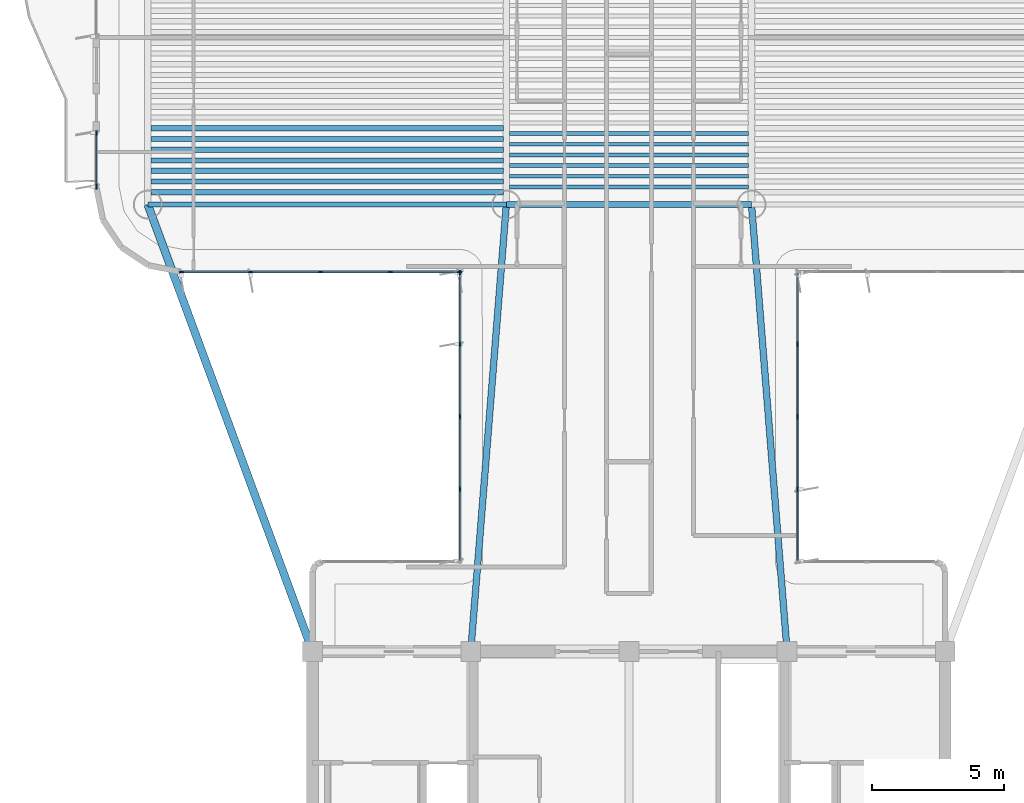
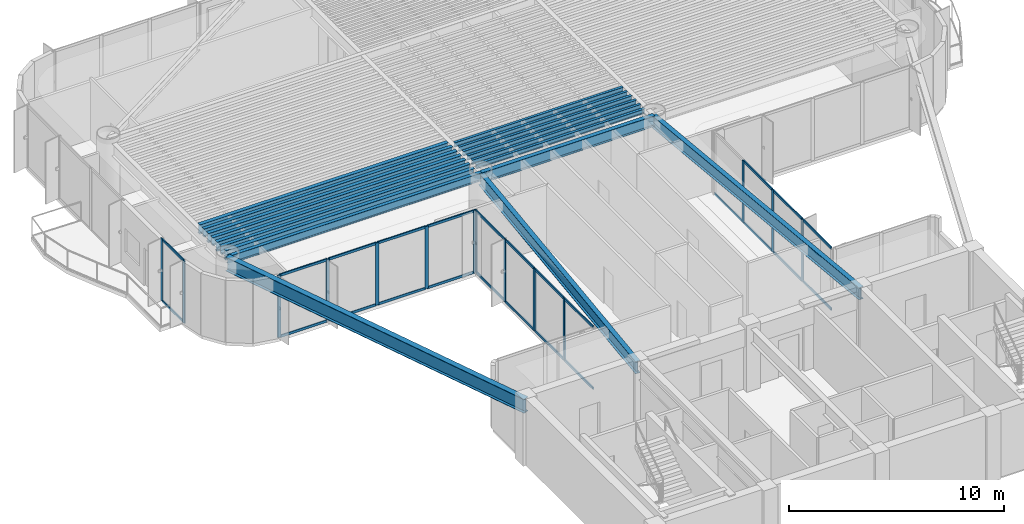
# One storey, part 3 of 15: 39 members, 18 beams, 4 elements without a shape of their own.
"""IFC4 building model written with IfcOpenShell, lengths in metres."""

from ifc_helpers import new_model, si_unit, direction, frame, origin, origin_2d, place, context, subcontext, project, spatial, rectangle, i_section, extrude, source, transform, mapped, material, layer, layer_set, material_profile, profile_set, type_object, element, aggregate, save


model = new_model("IFC4")

# Units and contexts
model_context = context("Model", 3, precision=1e-05, world=origin(), true_north=direction((0.0, 1.0)))
body_context = subcontext(model_context, "Body", "Model", "MODEL_VIEW")
ifc_project = project(units=[si_unit("LENGTHUNIT", "METRE"), si_unit("AREAUNIT", "SQUARE_METRE"), si_unit("VOLUMEUNIT", "CUBIC_METRE"), si_unit("PLANEANGLEUNIT", "RADIAN"), si_unit("MASSUNIT", "GRAM", prefix="KILO")], contexts=[model_context])

# Site, building, storey
site_placement = place(None, origin())
site = spatial("IfcSite", under=ifc_project, at=site_placement, CompositionType="ELEMENT")
building_placement = place(site_placement, origin())
building = spatial("IfcBuilding", under=site, at=building_placement, Name="Brelvock Crest Care Tower", CompositionType="ELEMENT")
storey_placement = place(building_placement, frame((0.0, 0.0, 160.199951171875)))
storey = spatial("IfcBuildingStorey", under=building, at=storey_placement, Name="L40", CompositionType="ELEMENT", Elevation=160.199951171875)

# Beams
ifc_material_1 = material(Name="Steel Grade 350", Category="steel")
ifc_material_profile_1 = material_profile(ifc_material_1, i_section(OverallWidth=0.22900390625, OverallDepth=0.612060546875, WebThickness=0.011962890625, FlangeThickness=0.01953125, FilletRadius=0.013916015625, at=origin_2d()), Name="610UB125")
ifc_profile_set_1 = profile_set([ifc_material_profile_1], Name="Steel Grade 350")
beam_type_1 = type_object("IfcBeamType", Name="BM-G1", PredefinedType="BEAM", material=ifc_profile_set_1)
shared_shape_1 = source(origin(), body_context, "Body", "SweptSolid", [
    extrude(i_section(OverallWidth=0.22900390625, OverallDepth=0.612060546875, WebThickness=0.011962890625, FlangeThickness=0.01953125, FilletRadius=0.013916015625, at=origin_2d()), origin(), (0.0, 0.0, 1.0), 9.2998046875),
])
beam_1_placement = place(storey_placement, frame((31.35009765625, 34.949951171875, 3.22412109375), z_axis=(1.0, 0.0, 0.0), x_axis=(0.0, 1.0, 0.0)))
element("IfcBeam", 1, at=beam_1_placement, inside=storey, type_object=beam_type_1, Name="BM-TWR-L40-05", PredefinedType="BEAM", context=body_context, shape_type="MappedRepresentation", body=[
    mapped(shared_shape_1, transform((0.0, 0.0, 0.0), x_axis=(1.0, 0.0, 0.0), y_axis=(0.0, 1.0, 0.0), z_axis=(0.0, 0.0, 1.0), scale=1.0)),
])
ifc_material_profile_2 = material_profile(ifc_material_1, i_section(OverallWidth=0.14599609375, OverallDepth=0.256103515625, WebThickness=0.00634765625, FlangeThickness=0.010986328125, FilletRadius=0.0087890625, at=origin_2d()), Name="250UB37.3")
ifc_profile_set_2 = profile_set([ifc_material_profile_2], Name="Steel Grade 350")
beam_type_2 = type_object("IfcBeamType", Name="BM-J3", PredefinedType="JOIST", material=ifc_profile_set_2)
shared_shape_2 = source(origin(), body_context, "Body", "SweptSolid", [
    extrude(i_section(OverallWidth=0.14599609375, OverallDepth=0.256103515625, WebThickness=0.00634765625, FlangeThickness=0.010986328125, FilletRadius=0.0087890625, at=origin_2d()), origin(), (0.0, 0.0, 1.0), 9.06982421875),
])
for number, where, z_axis, x_axis, name in (
    (2, (31.465087890625, 35.618896484375, 3.402099609375), (1.0, 0.0, 0.0), (0.0, 1.0, 0.0), "BM-JH-L40-1"),
    (3, (31.465087890625, 36.02392578125, 3.402099609375), (1.0, 0.0, 0.0), (0.0, 1.0, 0.0), "BM-JH-L40-2"),
    (4, (31.465087890625, 36.42919921875, 3.402099609375), (1.0, 0.0, 0.0), (0.0, 1.0, 0.0), "BM-JH-L40-3"),
    (5, (31.465087890625, 36.834228515625, 3.402099609375), (1.0, 0.0, 0.0), (0.0, 1.0, 0.0), "BM-JH-L40-4"),
    (6, (31.465087890625, 37.239501953125, 3.402099609375), (1.0, 0.0, 0.0), (0.0, 1.0, 0.0), "BM-JH-L40-5"),
    (7, (31.465087890625, 37.64453125, 3.402099609375), (1.0, 0.0, 0.0), (0.0, 1.0, 0.0), "BM-JH-L40-6"),
):
    element("IfcBeam", number, at=place(storey_placement, frame(where, z_axis=z_axis, x_axis=x_axis)), inside=storey, type_object=beam_type_2, Name=name, PredefinedType="JOIST", context=body_context, shape_type="MappedRepresentation", body=[
        mapped(shared_shape_2, transform((0.0, 0.0, 0.0), x_axis=(1.0, 0.0, 0.0), y_axis=(0.0, 1.0, 0.0), z_axis=(0.0, 0.0, 1.0), scale=1.0)),
    ])
ifc_material_profile_3 = material_profile(ifc_material_1, i_section(OverallWidth=0.208984375, OverallDepth=0.532958984375, WebThickness=0.01025390625, FlangeThickness=0.015625, FilletRadius=0.013916015625, at=origin_2d()), Name="530UB92.4")
ifc_profile_set_3 = profile_set([ifc_material_profile_3], Name="Steel Grade 350")
beam_type_3 = type_object("IfcBeamType", Name="BM-G2", PredefinedType="BEAM", material=ifc_profile_set_3)
shared_shape_3 = source(origin(), body_context, "Body", "SweptSolid", [
    extrude(i_section(OverallWidth=0.208984375, OverallDepth=0.532958984375, WebThickness=0.01025390625, FlangeThickness=0.015625, FilletRadius=0.013916015625, at=origin_2d()), origin(), (0.0, 0.0, 1.0), 13.3701171875),
])
for number, where, z_axis, x_axis, name in (
    (8, (17.864990234375, 35.416259765625, 3.263427734375), (1.0, 0.0, 0.0), (0.0, 1.0, 0.0), "BM-JW-L40-1"),
    (9, (17.864990234375, 36.2265625, 3.263427734375), (1.0, 0.0, 0.0), (0.0, 1.0, 0.0), "BM-JW-L40-3"),
    (10, (17.864990234375, 37.036865234375, 3.263427734375), (1.0, 0.0, 0.0), (0.0, 1.0, 0.0), "BM-JW-L40-5"),
    (11, (17.864990234375, 37.84716796875, 3.263427734375), (1.0, 0.0, 0.0), (0.0, 1.0, 0.0), "BM-JW-L40-7"),
):
    element("IfcBeam", number, at=place(storey_placement, frame(where, z_axis=z_axis, x_axis=x_axis)), inside=storey, type_object=beam_type_3, Name=name, PredefinedType="BEAM", context=body_context, shape_type="MappedRepresentation", body=[
        mapped(shared_shape_3, transform((0.0, 0.0, 0.0), x_axis=(1.0, 0.0, 0.0), y_axis=(0.0, 1.0, 0.0), z_axis=(0.0, 0.0, 1.0), scale=1.0)),
    ])
ifc_material_profile_4 = material_profile(ifc_material_1, i_section(OverallWidth=0.19091796875, OverallDepth=0.4599609375, WebThickness=0.010009765625, FlangeThickness=0.01611328125, FilletRadius=0.011474609375, at=origin_2d()), Name="460UB82.1")
ifc_profile_set_4 = profile_set([ifc_material_profile_4], Name="Steel Grade 350")
beam_type_4 = type_object("IfcBeamType", Name="BM-G3", PredefinedType="BEAM", material=ifc_profile_set_4)
shared_shape_4 = source(origin(), body_context, "Body", "SweptSolid", [
    extrude(i_section(OverallWidth=0.19091796875, OverallDepth=0.4599609375, WebThickness=0.010009765625, FlangeThickness=0.01611328125, FilletRadius=0.011474609375, at=origin_2d()), origin(), (0.0, 0.0, 1.0), 13.3701171875),
])
for number, where, z_axis, x_axis, name in (
    (12, (17.864990234375, 35.8212890625, 3.300048828125), (1.0, 0.0, 0.0), (0.0, 1.0, 0.0), "BM-JW-L40-2"),
    (13, (17.864990234375, 36.631591796875, 3.300048828125), (1.0, 0.0, 0.0), (0.0, 1.0, 0.0), "BM-JW-L40-4"),
    (14, (17.864990234375, 37.44189453125, 3.300048828125), (1.0, 0.0, 0.0), (0.0, 1.0, 0.0), "BM-JW-L40-6"),
):
    element("IfcBeam", number, at=place(storey_placement, frame(where, z_axis=z_axis, x_axis=x_axis)), inside=storey, type_object=beam_type_4, Name=name, PredefinedType="BEAM", context=body_context, shape_type="MappedRepresentation", body=[
        mapped(shared_shape_4, transform((0.0, 0.0, 0.0), x_axis=(1.0, 0.0, 0.0), y_axis=(0.0, 1.0, 0.0), z_axis=(0.0, 0.0, 1.0), scale=1.0)),
    ])
ifc_material_profile_5 = material_profile(ifc_material_1, i_section(OverallWidth=0.19091796875, OverallDepth=0.4599609375, WebThickness=0.010009765625, FlangeThickness=0.01611328125, FilletRadius=0.011474609375, at=origin_2d()), Name="460UB82.1")
ifc_profile_set_5 = profile_set([ifc_material_profile_5], Name="Steel Grade 350")
beam_type_5 = type_object("IfcBeamType", Name="BM-SP2", PredefinedType="SPANDREL", material=ifc_profile_set_5)
shared_shape_5 = source(origin(), body_context, "Body", "SweptSolid", [
    extrude(i_section(OverallWidth=0.19091796875, OverallDepth=0.4599609375, WebThickness=0.010009765625, FlangeThickness=0.01611328125, FilletRadius=0.011474609375, at=origin_2d()), origin(), (0.0, 0.0, 1.0), 13.60009765625),
])
beam_2_placement = place(storey_placement, frame((17.75, 34.949951171875, 3.300048828125), z_axis=(1.0, 0.0, 0.0), x_axis=(0.0, 1.0, 0.0)))
element("IfcBeam", 15, at=beam_2_placement, inside=storey, type_object=beam_type_5, Name="BM-TWR-L40-03", PredefinedType="SPANDREL", context=body_context, shape_type="MappedRepresentation", body=[
    mapped(shared_shape_5, transform((0.0, 0.0, 0.0), x_axis=(1.0, 0.0, 0.0), y_axis=(0.0, 1.0, 0.0), z_axis=(0.0, 0.0, 1.0), scale=1.0)),
])
ifc_material_profile_6 = material_profile(ifc_material_1, i_section(OverallWidth=0.25, OverallDepth=0.699951171875, WebThickness=0.011962890625, FlangeThickness=0.02001953125, at=origin_2d()), Name="700WB150")
ifc_profile_set_6 = profile_set([ifc_material_profile_6], Name="Steel Grade 350")
beam_type_6 = type_object("IfcBeamType", Name="BM-G4", PredefinedType="BEAM", material=ifc_profile_set_6)
shared_shape_6 = source(origin(), body_context, "Body", "SweptSolid", [
    extrude(i_section(OverallWidth=0.25, OverallDepth=0.699951171875, WebThickness=0.011962890625, FlangeThickness=0.02001953125, at=origin_2d()), origin(), (0.0, 0.0, 1.0), 17.003662109375),
])
for number, where, z_axis, x_axis, name in (
    (16, (30.0, 18.0, 3.179931640625), (0.079400530776, 0.996842793881, 0.0), (-0.996842793881, 0.079400530776, 0.0), "BM-THRW-L40"),
    (17, (42.0, 18.0, 3.179931640625), (-0.079400530776, 0.996842793881, 0.0), (-0.996842793881, -0.079400530776, 0.0), "BM-THRE-L40"),
):
    element("IfcBeam", number, at=place(storey_placement, frame(where, z_axis=z_axis, x_axis=x_axis)), inside=storey, type_object=beam_type_6, Name=name, PredefinedType="BEAM", context=body_context, shape_type="MappedRepresentation", body=[
        mapped(shared_shape_6, transform((0.0, 0.0, 0.0), x_axis=(1.0, 0.0, 0.0), y_axis=(0.0, 1.0, 0.0), z_axis=(0.0, 0.0, 1.0), scale=1.0)),
    ])
ifc_material_profile_7 = material_profile(ifc_material_1, i_section(OverallWidth=0.300048828125, OverallDepth=0.800048828125, WebThickness=0.013916015625, FlangeThickness=0.02197265625, at=origin_2d()), Name="800WB192")
ifc_profile_set_7 = profile_set([ifc_material_profile_7], Name="Steel Grade 350")
beam_type_7 = type_object("IfcBeamType", Name="BM-G5", PredefinedType="BEAM", material=ifc_profile_set_7)
shared_shape_7 = source(origin(), body_context, "Body", "SweptSolid", [
    extrude(i_section(OverallWidth=0.300048828125, OverallDepth=0.800048828125, WebThickness=0.013916015625, FlangeThickness=0.02197265625, at=origin_2d()), origin(), (0.0, 0.0, 1.0), 18.0654296875),
])
beam_3_placement = place(storey_placement, frame((24.0, 18.0, 3.130126953125), z_axis=(-0.345962741309, 0.938248251597, 0.0), x_axis=(-0.938248251597, -0.345962741309, 0.0)))
element("IfcBeam", 18, at=beam_3_placement, inside=storey, type_object=beam_type_7, Name="BM-THRO-W-L40", PredefinedType="BEAM", context=body_context, shape_type="MappedRepresentation", body=[
    mapped(shared_shape_7, transform((0.0, 0.0, 0.0), x_axis=(1.0, 0.0, 0.0), y_axis=(0.0, 1.0, 0.0), z_axis=(0.0, 0.0, 1.0), scale=1.0)),
])

# Curtain wall, members
ifc_material_2 = material(Name="Dark Glass Double Glazed Low-E", Category="glass")
ifc_layer = layer(ifc_material_2, 0.22509765625, Name="CWS-4")
ifc_layer_set = layer_set([ifc_layer], Name="Dark Glass Double Glazed Low-E")
curtain_wall_type = type_object("IfcCurtainWallType", Name="CWS-4", PredefinedType="NOTDEFINED", material=ifc_layer_set)
curtain_wall_1_placement = place(storey_placement, origin())
curtain_wall_1 = element("IfcCurtainWall", 19, at=curtain_wall_1_placement, inside=storey, type_object=curtain_wall_type, Name="L40 Curtain Wall E11", PredefinedType="NOTDEFINED")
ifc_material_3 = material(Name="Aluminium 6063-T6", Category="aluminium")
ifc_material_profile_8 = material_profile(ifc_material_3, rectangle(XDim=0.06005859375, YDim=0.179931640625, at=origin_2d()), Name="ALU60x180")
ifc_profile_set_8 = profile_set([ifc_material_profile_8], Name="Aluminium 6063-T6")
member_type_1 = type_object("IfcMemberType", Name="CWM-2", PredefinedType="MULLION", material=ifc_profile_set_8)
shared_shape_8 = source(origin(), body_context, "Body", "SweptSolid", [
    extrude(rectangle(XDim=0.06005859375, YDim=0.179931640625, at=origin_2d()), origin(), (0.0, 0.0, 1.0), 3.530029296875),
])
member_1_placement = place(storey_placement, frame((29.60009765625, 24.14990234375, 0.0), z_axis=(0.0, 0.0, 1.0), x_axis=(-1.0, 0.0, 0.0)))
member_1 = element("IfcMember", 20, at=member_1_placement, type_object=member_type_1, Name="CW-4 mullion 2", PredefinedType="MULLION", context=body_context, shape_type="MappedRepresentation", body=[
    mapped(shared_shape_8, transform((0.0, 0.0, 0.0), x_axis=(1.0, 0.0, 0.0), y_axis=(0.0, 1.0, 0.0), z_axis=(0.0, 0.0, 1.0), scale=1.0)),
])
member_2_placement = place(storey_placement, frame((29.60009765625, 26.89990234375, 0.0), z_axis=(0.0, 0.0, 1.0), x_axis=(-1.0, 0.0, 0.0)))
member_2 = element("IfcMember", 21, at=member_2_placement, type_object=member_type_1, Name="CW-4 mullion 3", PredefinedType="MULLION", context=body_context, shape_type="MappedRepresentation", body=[
    mapped(shared_shape_8, transform((0.0, 0.0, 0.0), x_axis=(1.0, 0.0, 0.0), y_axis=(0.0, 1.0, 0.0), z_axis=(0.0, 0.0, 1.0), scale=1.0)),
])
member_3_placement = place(storey_placement, frame((29.60009765625, 29.64990234375, 0.0), z_axis=(0.0, 0.0, 1.0), x_axis=(-1.0, 0.0, 0.0)))
member_3 = element("IfcMember", 22, at=member_3_placement, type_object=member_type_1, Name="CW-4 mullion 4", PredefinedType="MULLION", context=body_context, shape_type="MappedRepresentation", body=[
    mapped(shared_shape_8, transform((0.0, 0.0, 0.0), x_axis=(1.0, 0.0, 0.0), y_axis=(0.0, 1.0, 0.0), z_axis=(0.0, 0.0, 1.0), scale=1.0)),
])
member_4_placement = place(storey_placement, frame((29.60009765625, 32.3701171875, 0.0), z_axis=(0.0, 0.0, 1.0), x_axis=(-1.0, 0.0, 0.0)))
member_4 = element("IfcMember", 23, at=member_4_placement, type_object=member_type_1, Name="CW-4 mullion 5", PredefinedType="MULLION", context=body_context, shape_type="MappedRepresentation", body=[
    mapped(shared_shape_8, transform((0.0, 0.0, 0.0), x_axis=(1.0, 0.0, 0.0), y_axis=(0.0, 1.0, 0.0), z_axis=(0.0, 0.0, 1.0), scale=1.0)),
])

curtain_wall_2_placement = place(storey_placement, origin())
curtain_wall_2 = element("IfcCurtainWall", 24, at=curtain_wall_2_placement, inside=storey, type_object=curtain_wall_type, Name="L40 Curtain Wall E12", PredefinedType="NOTDEFINED")
member_5_placement = place(storey_placement, frame((29.570068359375, 32.39990234375, 0.0), z_axis=(0.0, 0.0, 1.0), x_axis=(0.0, -1.0, 0.0)))
member_5 = element("IfcMember", 25, at=member_5_placement, type_object=member_type_1, Name="CW-4 mullion 1", PredefinedType="MULLION", context=body_context, shape_type="MappedRepresentation", body=[
    mapped(shared_shape_8, transform((0.0, 0.0, 0.0), x_axis=(1.0, 0.0, 0.0), y_axis=(0.0, 1.0, 0.0), z_axis=(0.0, 0.0, 1.0), scale=1.0)),
])
member_6_placement = place(storey_placement, frame((26.949951171875, 32.39990234375, 0.0), z_axis=(0.0, 0.0, 1.0), x_axis=(0.0, -1.0, 0.0)))
member_6 = element("IfcMember", 26, at=member_6_placement, type_object=member_type_1, Name="CW-4 mullion 2", PredefinedType="MULLION", context=body_context, shape_type="MappedRepresentation", body=[
    mapped(shared_shape_8, transform((0.0, 0.0, 0.0), x_axis=(1.0, 0.0, 0.0), y_axis=(0.0, 1.0, 0.0), z_axis=(0.0, 0.0, 1.0), scale=1.0)),
])
member_7_placement = place(storey_placement, frame((24.300048828125, 32.39990234375, 0.0), z_axis=(0.0, 0.0, 1.0), x_axis=(0.0, -1.0, 0.0)))
member_7 = element("IfcMember", 27, at=member_7_placement, type_object=member_type_1, Name="CW-4 mullion 3", PredefinedType="MULLION", context=body_context, shape_type="MappedRepresentation", body=[
    mapped(shared_shape_8, transform((0.0, 0.0, 0.0), x_axis=(1.0, 0.0, 0.0), y_axis=(0.0, 1.0, 0.0), z_axis=(0.0, 0.0, 1.0), scale=1.0)),
])
member_8_placement = place(storey_placement, frame((21.64990234375, 32.39990234375, 0.0), z_axis=(0.0, 0.0, 1.0), x_axis=(0.0, -1.0, 0.0)))
member_8 = element("IfcMember", 28, at=member_8_placement, type_object=member_type_1, Name="CW-4 mullion 4", PredefinedType="MULLION", context=body_context, shape_type="MappedRepresentation", body=[
    mapped(shared_shape_8, transform((0.0, 0.0, 0.0), x_axis=(1.0, 0.0, 0.0), y_axis=(0.0, 1.0, 0.0), z_axis=(0.0, 0.0, 1.0), scale=1.0)),
])
member_9_placement = place(storey_placement, frame((19.030029296875, 32.39990234375, 0.0), z_axis=(0.0, 0.0, 1.0), x_axis=(0.0, -1.0, 0.0)))
member_9 = element("IfcMember", 29, at=member_9_placement, type_object=member_type_1, Name="CW-4 mullion 5", PredefinedType="MULLION", context=body_context, shape_type="MappedRepresentation", body=[
    mapped(shared_shape_8, transform((0.0, 0.0, 0.0), x_axis=(1.0, 0.0, 0.0), y_axis=(0.0, 1.0, 0.0), z_axis=(0.0, 0.0, 1.0), scale=1.0)),
])

curtain_wall_3_placement = place(storey_placement, origin())
curtain_wall_3 = element("IfcCurtainWall", 30, at=curtain_wall_3_placement, inside=storey, type_object=curtain_wall_type, Name="L40 Curtain Wall E17A", PredefinedType="NOTDEFINED")
member_10_placement = place(storey_placement, frame((15.800048828125, 35.6298828125, 0.0), z_axis=(0.0, 0.0, 1.0), x_axis=(-1.0, 0.0, 0.0)))
member_10 = element("IfcMember", 31, at=member_10_placement, type_object=member_type_1, Name="CW-4 mullion 1", PredefinedType="MULLION", context=body_context, shape_type="MappedRepresentation", body=[
    mapped(shared_shape_8, transform((0.0, 0.0, 0.0), x_axis=(1.0, 0.0, 0.0), y_axis=(0.0, 1.0, 0.0), z_axis=(0.0, 0.0, 1.0), scale=1.0)),
])
member_11_placement = place(storey_placement, frame((15.800048828125, 37.669921875, 0.0), z_axis=(0.0, 0.0, 1.0), x_axis=(-1.0, 0.0, 0.0)))
member_11 = element("IfcMember", 32, at=member_11_placement, type_object=member_type_1, Name="CW-4 mullion 2", PredefinedType="MULLION", context=body_context, shape_type="MappedRepresentation", body=[
    mapped(shared_shape_8, transform((0.0, 0.0, 0.0), x_axis=(1.0, 0.0, 0.0), y_axis=(0.0, 1.0, 0.0), z_axis=(0.0, 0.0, 1.0), scale=1.0)),
])

curtain_wall_4_placement = place(storey_placement, origin())
curtain_wall_4 = element("IfcCurtainWall", 33, at=curtain_wall_4_placement, inside=storey, type_object=curtain_wall_type, Name="L40 Curtain Wall E45", PredefinedType="NOTDEFINED")
member_12_placement = place(storey_placement, frame((42.39990234375, 29.64990234375, 0.0), z_axis=(0.0, 0.0, 1.0), x_axis=(1.0, 0.0, 0.0)))
member_12 = element("IfcMember", 34, at=member_12_placement, type_object=member_type_1, Name="CW-4 mullion 2", PredefinedType="MULLION", context=body_context, shape_type="MappedRepresentation", body=[
    mapped(shared_shape_8, transform((0.0, 0.0, 0.0), x_axis=(1.0, 0.0, 0.0), y_axis=(0.0, 1.0, 0.0), z_axis=(0.0, 0.0, 1.0), scale=1.0)),
])
member_13_placement = place(storey_placement, frame((42.39990234375, 26.89990234375, 0.0), z_axis=(0.0, 0.0, 1.0), x_axis=(1.0, 0.0, 0.0)))
member_13 = element("IfcMember", 35, at=member_13_placement, type_object=member_type_1, Name="CW-4 mullion 3", PredefinedType="MULLION", context=body_context, shape_type="MappedRepresentation", body=[
    mapped(shared_shape_8, transform((0.0, 0.0, 0.0), x_axis=(1.0, 0.0, 0.0), y_axis=(0.0, 1.0, 0.0), z_axis=(0.0, 0.0, 1.0), scale=1.0)),
])
member_14_placement = place(storey_placement, frame((42.39990234375, 24.14990234375, 0.0), z_axis=(0.0, 0.0, 1.0), x_axis=(1.0, 0.0, 0.0)))
member_14 = element("IfcMember", 36, at=member_14_placement, type_object=member_type_1, Name="CW-4 mullion 4", PredefinedType="MULLION", context=body_context, shape_type="MappedRepresentation", body=[
    mapped(shared_shape_8, transform((0.0, 0.0, 0.0), x_axis=(1.0, 0.0, 0.0), y_axis=(0.0, 1.0, 0.0), z_axis=(0.0, 0.0, 1.0), scale=1.0)),
])

# Member
ifc_material_profile_9 = material_profile(ifc_material_3, rectangle(XDim=0.06005859375, YDim=0.139892578125, at=origin_2d()), Name="ALU60x140")
ifc_profile_set_9 = profile_set([ifc_material_profile_9], Name="Aluminium 6063-T6")
member_type_2 = type_object("IfcMemberType", Name="CWT-2", PredefinedType="USERDEFINED", material=ifc_profile_set_9)
shared_shape_9 = source(origin(), body_context, "Body", "SweptSolid", [
    extrude(rectangle(XDim=0.06005859375, YDim=0.139892578125, at=origin_2d()), origin(), (0.0, 0.0, 1.0), 2.66015625),
])
member_15_placement = place(storey_placement, frame((29.60009765625, 21.4599609375, 0.030029296875), z_axis=(0.0, 1.0, 0.0), x_axis=(-1.0, 0.0, 0.0)))
member_15 = element("IfcMember", 37, at=member_15_placement, type_object=member_type_2, Name="CW-4 transom 1.1", ObjectType="TRANSOM", PredefinedType="USERDEFINED", context=body_context, shape_type="MappedRepresentation", body=[
    mapped(shared_shape_9, transform((0.0, 0.0, 0.0), x_axis=(1.0, 0.0, 0.0), y_axis=(0.0, 1.0, 0.0), z_axis=(0.0, 0.0, 1.0), scale=1.0)),
])

member_16_placement = place(storey_placement, frame((29.60009765625, 21.4599609375, 3.5), z_axis=(0.0, 1.0, 0.0), x_axis=(-1.0, 0.0, 0.0)))
member_16 = element("IfcMember", 38, at=member_16_placement, type_object=member_type_2, Name="CW-4 transom 1.2", ObjectType="TRANSOM", PredefinedType="USERDEFINED", context=body_context, shape_type="MappedRepresentation", body=[
    mapped(shared_shape_9, transform((0.0, 0.0, 0.0), x_axis=(1.0, 0.0, 0.0), y_axis=(0.0, 1.0, 0.0), z_axis=(0.0, 0.0, 1.0), scale=1.0)),
])

member_17_placement = place(storey_placement, frame((29.60009765625, 29.679931640625, 0.030029296875), z_axis=(0.0, 1.0, 0.0), x_axis=(-1.0, 0.0, 0.0)))
member_17 = element("IfcMember", 39, at=member_17_placement, type_object=member_type_2, Name="CW-4 transom 4.1", ObjectType="TRANSOM", PredefinedType="USERDEFINED", context=body_context, shape_type="MappedRepresentation", body=[
    mapped(shared_shape_9, transform((0.0, 0.0, 0.0), x_axis=(1.0, 0.0, 0.0), y_axis=(0.0, 1.0, 0.0), z_axis=(0.0, 0.0, 1.0), scale=1.0)),
])

member_18_placement = place(storey_placement, frame((29.60009765625, 29.679931640625, 3.5), z_axis=(0.0, 1.0, 0.0), x_axis=(-1.0, 0.0, 0.0)))
member_18 = element("IfcMember", 40, at=member_18_placement, type_object=member_type_2, Name="CW-4 transom 4.2", ObjectType="TRANSOM", PredefinedType="USERDEFINED", context=body_context, shape_type="MappedRepresentation", body=[
    mapped(shared_shape_9, transform((0.0, 0.0, 0.0), x_axis=(1.0, 0.0, 0.0), y_axis=(0.0, 1.0, 0.0), z_axis=(0.0, 0.0, 1.0), scale=1.0)),
])

member_19_placement = place(storey_placement, frame((42.39990234375, 32.340087890625, 0.030029296875), z_axis=(0.0, -1.0, 0.0), x_axis=(1.0, 0.0, 0.0)))
member_19 = element("IfcMember", 41, at=member_19_placement, type_object=member_type_2, Name="CW-4 transom 1.1", ObjectType="TRANSOM", PredefinedType="USERDEFINED", context=body_context, shape_type="MappedRepresentation", body=[
    mapped(shared_shape_9, transform((0.0, 0.0, 0.0), x_axis=(1.0, 0.0, 0.0), y_axis=(0.0, 1.0, 0.0), z_axis=(0.0, 0.0, 1.0), scale=1.0)),
])

member_20_placement = place(storey_placement, frame((42.39990234375, 24.1201171875, 0.030029296875), z_axis=(0.0, -1.0, 0.0), x_axis=(1.0, 0.0, 0.0)))
member_20 = element("IfcMember", 42, at=member_20_placement, type_object=member_type_2, Name="CW-4 transom 4.1", ObjectType="TRANSOM", PredefinedType="USERDEFINED", context=body_context, shape_type="MappedRepresentation", body=[
    mapped(shared_shape_9, transform((0.0, 0.0, 0.0), x_axis=(1.0, 0.0, 0.0), y_axis=(0.0, 1.0, 0.0), z_axis=(0.0, 0.0, 1.0), scale=1.0)),
])

member_21_placement = place(storey_placement, frame((42.39990234375, 24.1201171875, 3.5), z_axis=(0.0, -1.0, 0.0), x_axis=(1.0, 0.0, 0.0)))
member_21 = element("IfcMember", 43, at=member_21_placement, type_object=member_type_2, Name="CW-4 transom 4.2", ObjectType="TRANSOM", PredefinedType="USERDEFINED", context=body_context, shape_type="MappedRepresentation", body=[
    mapped(shared_shape_9, transform((0.0, 0.0, 0.0), x_axis=(1.0, 0.0, 0.0), y_axis=(0.0, 1.0, 0.0), z_axis=(0.0, 0.0, 1.0), scale=1.0)),
])

shared_shape_10 = source(origin(), body_context, "Body", "SweptSolid", [
    extrude(rectangle(XDim=0.06005859375, YDim=0.139892578125, at=origin_2d()), origin(), (0.0, 0.0, 1.0), 2.690185546875),
])
member_22_placement = place(storey_placement, frame((29.60009765625, 24.179931640625, 0.030029296875), z_axis=(0.0, 1.0, 0.0), x_axis=(-1.0, 0.0, 0.0)))
member_22 = element("IfcMember", 44, at=member_22_placement, type_object=member_type_2, Name="CW-4 transom 2.1", ObjectType="TRANSOM", PredefinedType="USERDEFINED", context=body_context, shape_type="MappedRepresentation", body=[
    mapped(shared_shape_10, transform((0.0, 0.0, 0.0), x_axis=(1.0, 0.0, 0.0), y_axis=(0.0, 1.0, 0.0), z_axis=(0.0, 0.0, 1.0), scale=1.0)),
])

member_23_placement = place(storey_placement, frame((29.60009765625, 24.179931640625, 3.5), z_axis=(0.0, 1.0, 0.0), x_axis=(-1.0, 0.0, 0.0)))
member_23 = element("IfcMember", 45, at=member_23_placement, type_object=member_type_2, Name="CW-4 transom 2.2", ObjectType="TRANSOM", PredefinedType="USERDEFINED", context=body_context, shape_type="MappedRepresentation", body=[
    mapped(shared_shape_10, transform((0.0, 0.0, 0.0), x_axis=(1.0, 0.0, 0.0), y_axis=(0.0, 1.0, 0.0), z_axis=(0.0, 0.0, 1.0), scale=1.0)),
])

member_24_placement = place(storey_placement, frame((29.60009765625, 26.929931640625, 0.030029296875), z_axis=(0.0, 1.0, 0.0), x_axis=(-1.0, 0.0, 0.0)))
member_24 = element("IfcMember", 46, at=member_24_placement, type_object=member_type_2, Name="CW-4 transom 3.1", ObjectType="TRANSOM", PredefinedType="USERDEFINED", context=body_context, shape_type="MappedRepresentation", body=[
    mapped(shared_shape_10, transform((0.0, 0.0, 0.0), x_axis=(1.0, 0.0, 0.0), y_axis=(0.0, 1.0, 0.0), z_axis=(0.0, 0.0, 1.0), scale=1.0)),
])

member_25_placement = place(storey_placement, frame((29.60009765625, 26.929931640625, 3.5), z_axis=(0.0, 1.0, 0.0), x_axis=(-1.0, 0.0, 0.0)))
member_25 = element("IfcMember", 47, at=member_25_placement, type_object=member_type_2, Name="CW-4 transom 3.2", ObjectType="TRANSOM", PredefinedType="USERDEFINED", context=body_context, shape_type="MappedRepresentation", body=[
    mapped(shared_shape_10, transform((0.0, 0.0, 0.0), x_axis=(1.0, 0.0, 0.0), y_axis=(0.0, 1.0, 0.0), z_axis=(0.0, 0.0, 1.0), scale=1.0)),
])

aggregate(curtain_wall_1, [member_1, member_2, member_3, member_4, member_15, member_16, member_22, member_23, member_24, member_25, member_17, member_18])

member_26_placement = place(storey_placement, frame((42.39990234375, 29.6201171875, 0.030029296875), z_axis=(0.0, -1.0, 0.0), x_axis=(1.0, 0.0, 0.0)))
member_26 = element("IfcMember", 48, at=member_26_placement, type_object=member_type_2, Name="CW-4 transom 2.1", ObjectType="TRANSOM", PredefinedType="USERDEFINED", context=body_context, shape_type="MappedRepresentation", body=[
    mapped(shared_shape_10, transform((0.0, 0.0, 0.0), x_axis=(1.0, 0.0, 0.0), y_axis=(0.0, 1.0, 0.0), z_axis=(0.0, 0.0, 1.0), scale=1.0)),
])

member_27_placement = place(storey_placement, frame((42.39990234375, 29.6201171875, 3.5), z_axis=(0.0, -1.0, 0.0), x_axis=(1.0, 0.0, 0.0)))
member_27 = element("IfcMember", 49, at=member_27_placement, type_object=member_type_2, Name="CW-4 transom 2.2", ObjectType="TRANSOM", PredefinedType="USERDEFINED", context=body_context, shape_type="MappedRepresentation", body=[
    mapped(shared_shape_10, transform((0.0, 0.0, 0.0), x_axis=(1.0, 0.0, 0.0), y_axis=(0.0, 1.0, 0.0), z_axis=(0.0, 0.0, 1.0), scale=1.0)),
])

member_28_placement = place(storey_placement, frame((42.39990234375, 26.8701171875, 0.030029296875), z_axis=(0.0, -1.0, 0.0), x_axis=(1.0, 0.0, 0.0)))
member_28 = element("IfcMember", 50, at=member_28_placement, type_object=member_type_2, Name="CW-4 transom 3.1", ObjectType="TRANSOM", PredefinedType="USERDEFINED", context=body_context, shape_type="MappedRepresentation", body=[
    mapped(shared_shape_10, transform((0.0, 0.0, 0.0), x_axis=(1.0, 0.0, 0.0), y_axis=(0.0, 1.0, 0.0), z_axis=(0.0, 0.0, 1.0), scale=1.0)),
])

member_29_placement = place(storey_placement, frame((42.39990234375, 26.8701171875, 3.5), z_axis=(0.0, -1.0, 0.0), x_axis=(1.0, 0.0, 0.0)))
member_29 = element("IfcMember", 51, at=member_29_placement, type_object=member_type_2, Name="CW-4 transom 3.2", ObjectType="TRANSOM", PredefinedType="USERDEFINED", context=body_context, shape_type="MappedRepresentation", body=[
    mapped(shared_shape_10, transform((0.0, 0.0, 0.0), x_axis=(1.0, 0.0, 0.0), y_axis=(0.0, 1.0, 0.0), z_axis=(0.0, 0.0, 1.0), scale=1.0)),
])

aggregate(curtain_wall_4, [member_12, member_13, member_14, member_19, member_26, member_27, member_28, member_29, member_20, member_21])

shared_shape_11 = source(origin(), body_context, "Body", "SweptSolid", [
    extrude(rectangle(XDim=0.06005859375, YDim=0.139892578125, at=origin_2d()), origin(), (0.0, 0.0, 1.0), 2.56005859375),
])
member_30_placement = place(storey_placement, frame((29.5400390625, 32.39990234375, 0.030029296875), z_axis=(-1.0, 0.0, 0.0), x_axis=(0.0, -1.0, 0.0)))
member_30 = element("IfcMember", 52, at=member_30_placement, type_object=member_type_2, Name="CW-4 transom 1.1", ObjectType="TRANSOM", PredefinedType="USERDEFINED", context=body_context, shape_type="MappedRepresentation", body=[
    mapped(shared_shape_11, transform((0.0, 0.0, 0.0), x_axis=(1.0, 0.0, 0.0), y_axis=(0.0, 1.0, 0.0), z_axis=(0.0, 0.0, 1.0), scale=1.0)),
])

member_31_placement = place(storey_placement, frame((29.5400390625, 32.39990234375, 3.5), z_axis=(-1.0, 0.0, 0.0), x_axis=(0.0, -1.0, 0.0)))
member_31 = element("IfcMember", 53, at=member_31_placement, type_object=member_type_2, Name="CW-4 transom 1.2", ObjectType="TRANSOM", PredefinedType="USERDEFINED", context=body_context, shape_type="MappedRepresentation", body=[
    mapped(shared_shape_11, transform((0.0, 0.0, 0.0), x_axis=(1.0, 0.0, 0.0), y_axis=(0.0, 1.0, 0.0), z_axis=(0.0, 0.0, 1.0), scale=1.0)),
])

member_32_placement = place(storey_placement, frame((21.6201171875, 32.39990234375, 0.030029296875), z_axis=(-1.0, 0.0, 0.0), x_axis=(0.0, -1.0, 0.0)))
member_32 = element("IfcMember", 54, at=member_32_placement, type_object=member_type_2, Name="CW-4 transom 4.1", ObjectType="TRANSOM", PredefinedType="USERDEFINED", context=body_context, shape_type="MappedRepresentation", body=[
    mapped(shared_shape_11, transform((0.0, 0.0, 0.0), x_axis=(1.0, 0.0, 0.0), y_axis=(0.0, 1.0, 0.0), z_axis=(0.0, 0.0, 1.0), scale=1.0)),
])

member_33_placement = place(storey_placement, frame((21.6201171875, 32.39990234375, 3.5), z_axis=(-1.0, 0.0, 0.0), x_axis=(0.0, -1.0, 0.0)))
member_33 = element("IfcMember", 55, at=member_33_placement, type_object=member_type_2, Name="CW-4 transom 4.2", ObjectType="TRANSOM", PredefinedType="USERDEFINED", context=body_context, shape_type="MappedRepresentation", body=[
    mapped(shared_shape_11, transform((0.0, 0.0, 0.0), x_axis=(1.0, 0.0, 0.0), y_axis=(0.0, 1.0, 0.0), z_axis=(0.0, 0.0, 1.0), scale=1.0)),
])

shared_shape_12 = source(origin(), body_context, "Body", "SweptSolid", [
    extrude(rectangle(XDim=0.06005859375, YDim=0.139892578125, at=origin_2d()), origin(), (0.0, 0.0, 1.0), 2.58984375),
])
member_34_placement = place(storey_placement, frame((26.919921875, 32.39990234375, 0.030029296875), z_axis=(-1.0, 0.0, 0.0), x_axis=(0.0, -1.0, 0.0)))
member_34 = element("IfcMember", 56, at=member_34_placement, type_object=member_type_2, Name="CW-4 transom 2.1", ObjectType="TRANSOM", PredefinedType="USERDEFINED", context=body_context, shape_type="MappedRepresentation", body=[
    mapped(shared_shape_12, transform((0.0, 0.0, 0.0), x_axis=(1.0, 0.0, 0.0), y_axis=(0.0, 1.0, 0.0), z_axis=(0.0, 0.0, 1.0), scale=1.0)),
])

member_35_placement = place(storey_placement, frame((26.919921875, 32.39990234375, 3.5), z_axis=(-1.0, 0.0, 0.0), x_axis=(0.0, -1.0, 0.0)))
member_35 = element("IfcMember", 57, at=member_35_placement, type_object=member_type_2, Name="CW-4 transom 2.2", ObjectType="TRANSOM", PredefinedType="USERDEFINED", context=body_context, shape_type="MappedRepresentation", body=[
    mapped(shared_shape_12, transform((0.0, 0.0, 0.0), x_axis=(1.0, 0.0, 0.0), y_axis=(0.0, 1.0, 0.0), z_axis=(0.0, 0.0, 1.0), scale=1.0)),
])

shared_shape_13 = source(origin(), body_context, "Body", "SweptSolid", [
    extrude(rectangle(XDim=0.06005859375, YDim=0.139892578125, at=origin_2d()), origin(), (0.0, 0.0, 1.0), 2.590087890625),
])
member_36_placement = place(storey_placement, frame((24.27001953125, 32.39990234375, 0.030029296875), z_axis=(-1.0, 0.0, 0.0), x_axis=(0.0, -1.0, 0.0)))
member_36 = element("IfcMember", 58, at=member_36_placement, type_object=member_type_2, Name="CW-4 transom 3.1", ObjectType="TRANSOM", PredefinedType="USERDEFINED", context=body_context, shape_type="MappedRepresentation", body=[
    mapped(shared_shape_13, transform((0.0, 0.0, 0.0), x_axis=(1.0, 0.0, 0.0), y_axis=(0.0, 1.0, 0.0), z_axis=(0.0, 0.0, 1.0), scale=1.0)),
])

member_37_placement = place(storey_placement, frame((24.27001953125, 32.39990234375, 3.5), z_axis=(-1.0, 0.0, 0.0), x_axis=(0.0, -1.0, 0.0)))
member_37 = element("IfcMember", 59, at=member_37_placement, type_object=member_type_2, Name="CW-4 transom 3.2", ObjectType="TRANSOM", PredefinedType="USERDEFINED", context=body_context, shape_type="MappedRepresentation", body=[
    mapped(shared_shape_13, transform((0.0, 0.0, 0.0), x_axis=(1.0, 0.0, 0.0), y_axis=(0.0, 1.0, 0.0), z_axis=(0.0, 0.0, 1.0), scale=1.0)),
])

aggregate(curtain_wall_2, [member_5, member_6, member_7, member_8, member_9, member_30, member_31, member_34, member_35, member_36, member_37, member_32, member_33])

shared_shape_14 = source(origin(), body_context, "Body", "SweptSolid", [
    extrude(rectangle(XDim=0.06005859375, YDim=0.139892578125, at=origin_2d()), origin(), (0.0, 0.0, 1.0), 1.97998046875),
])
member_38_placement = place(storey_placement, frame((15.800048828125, 35.659912109375, 0.030029296875), z_axis=(0.0, 1.0, 0.0), x_axis=(-1.0, 0.0, 0.0)))
member_38 = element("IfcMember", 60, at=member_38_placement, type_object=member_type_2, Name="CW-4 transom 1.1", ObjectType="TRANSOM", PredefinedType="USERDEFINED", context=body_context, shape_type="MappedRepresentation", body=[
    mapped(shared_shape_14, transform((0.0, 0.0, 0.0), x_axis=(1.0, 0.0, 0.0), y_axis=(0.0, 1.0, 0.0), z_axis=(0.0, 0.0, 1.0), scale=1.0)),
])

member_39_placement = place(storey_placement, frame((15.800048828125, 35.659912109375, 3.5), z_axis=(0.0, 1.0, 0.0), x_axis=(-1.0, 0.0, 0.0)))
member_39 = element("IfcMember", 61, at=member_39_placement, type_object=member_type_2, Name="CW-4 transom 1.2", ObjectType="TRANSOM", PredefinedType="USERDEFINED", context=body_context, shape_type="MappedRepresentation", body=[
    mapped(shared_shape_14, transform((0.0, 0.0, 0.0), x_axis=(1.0, 0.0, 0.0), y_axis=(0.0, 1.0, 0.0), z_axis=(0.0, 0.0, 1.0), scale=1.0)),
])

aggregate(curtain_wall_3, [member_10, member_11, member_38, member_39])

save(model, "model.ifc")
